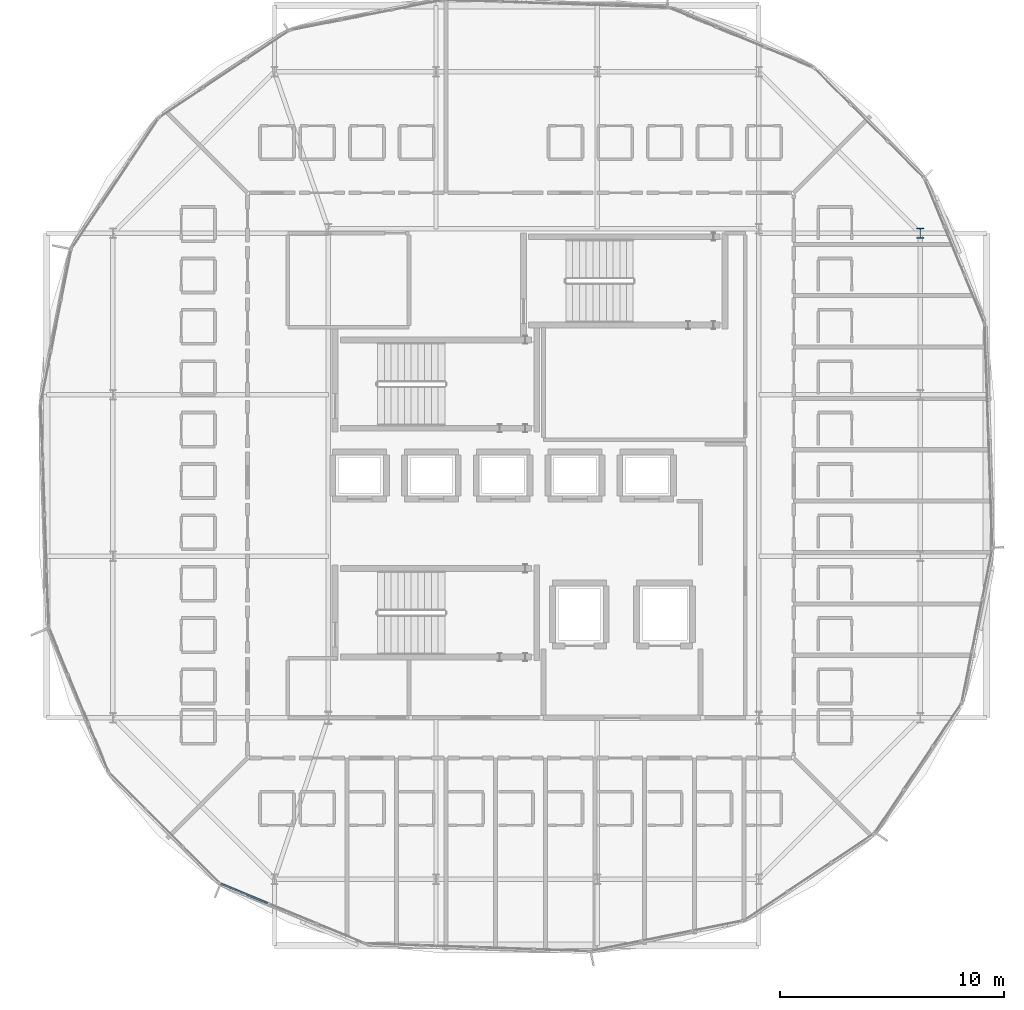
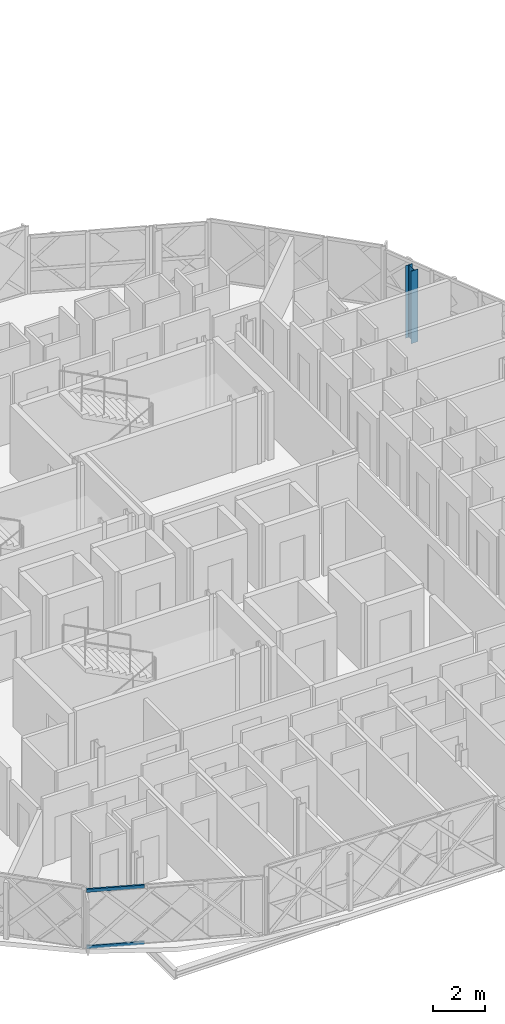
# One storey, part 4 of 25: 2 members, 1 column, 1 element without a shape of its own.
"""IFC4 building model written with IfcOpenShell, lengths in metres."""

from ifc_helpers import new_model, si_unit, direction, frame, origin, origin_2d, place, context, subcontext, project, spatial, rectangle, i_section, extrude, material, layer, layer_set, material_profile, profile_set, type_object, element, aggregate, save


model = new_model("IFC4")

# Units and contexts
model_context = context("Model", 3, precision=1e-05, world=origin(), true_north=direction((0.0, 1.0)))
body_context = subcontext(model_context, "Body", "Model", "MODEL_VIEW")
ifc_project = project(units=[si_unit("LENGTHUNIT", "METRE"), si_unit("AREAUNIT", "SQUARE_METRE"), si_unit("VOLUMEUNIT", "CUBIC_METRE"), si_unit("PLANEANGLEUNIT", "RADIAN"), si_unit("MASSUNIT", "GRAM", prefix="KILO")], contexts=[model_context])

# Site, building, storey
site_placement = place(None, origin())
site = spatial("IfcSite", under=ifc_project, at=site_placement, CompositionType="ELEMENT")
building_placement = place(site_placement, origin())
building = spatial("IfcBuilding", under=site, at=building_placement, Name="Zevrakil Square Congress Hotel", CompositionType="ELEMENT")
storey_placement = place(building_placement, frame((0.0, 0.0, 28.300048828125)))
storey = spatial("IfcBuildingStorey", under=building, at=storey_placement, Name="L08", CompositionType="ELEMENT", Elevation=28.300048828125)

# Column
ifc_material_1 = material(Name="Steel S355", Category="steel")
ifc_material_profile_1 = material_profile(ifc_material_1, i_section(OverallWidth=0.300048828125, OverallDepth=0.449951171875, WebThickness=0.013916015625, FlangeThickness=0.02587890625, FilletRadius=0.027099609375, at=origin_2d()), Name="HEB 450")
ifc_profile_set_1 = profile_set([ifc_material_profile_1], Name="Steel S355")
column_type = type_object("IfcColumnType", Name="COL-HEB450", PredefinedType="COLUMN", material=ifc_profile_set_1)
column_placement = place(storey_placement, frame((163.199951171875, 38.39990234375, 0.0), z_axis=(0.0, 0.0, 1.0), x_axis=(1.0, 0.0, 0.0)))
element("IfcColumn", 1, at=column_placement, inside=storey, type_object=column_type, Name="L08 drum column DC08", PredefinedType="COLUMN", context=body_context, shape_type="SweptSolid", body=[
    extrude(i_section(OverallWidth=0.300048828125, OverallDepth=0.449951171875, WebThickness=0.013916015625, FlangeThickness=0.02587890625, FilletRadius=0.027099609375, at=origin_2d()), origin(), (0.0, 0.0, 1.0), 3.39990234375),
])

# Curtain wall, members
ifc_material_2 = material(Name="Aluminium Anodised Bronze", Category="aluminium")
ifc_layer = layer(ifc_material_2, 0.179931640625)
ifc_layer_set = layer_set([ifc_layer], Name="Aluminium Anodised Bronze")
curtain_wall_type = type_object("IfcCurtainWallType", Name="CW-L08-720", PredefinedType="USERDEFINED", material=ifc_layer_set)
curtain_wall_placement = place(storey_placement, origin())
curtain_wall = element("IfcCurtainWall", 2, at=curtain_wall_placement, inside=storey, type_object=curtain_wall_type, Name="L08 diamond curtain wall CW-L08-0251", ObjectType="GLAZED CURTAIN WALL", PredefinedType="USERDEFINED")
ifc_material_3 = material(Name="Aluminium Anodised Bronze", Category="aluminium")
ifc_material_profile_2 = material_profile(ifc_material_3, rectangle(XDim=0.074951171875, YDim=0.14990234375, at=origin_2d()), Name="ALU 75x150")
ifc_profile_set_2 = profile_set([ifc_material_profile_2], Name="Aluminium Anodised Bronze")
member_type = type_object("IfcMemberType", Name="CWM-ALU75x150", PredefinedType="USERDEFINED", material=ifc_profile_set_2)
member_1_placement = place(storey_placement, frame((132.020751953125, 9.388427734375, 0.030029296875), z_axis=(0.923885623343, -0.382668727465, 0.0), x_axis=(0.382668727465, 0.923885623343, 0.0)))
member_1 = element("IfcMember", 3, at=member_1_placement, type_object=member_type, Name="CW-94 transom 1.1", ObjectType="TRANSOM", PredefinedType="USERDEFINED", context=body_context, shape_type="SweptSolid", body=[
    extrude(rectangle(XDim=0.074951171875, YDim=0.14990234375, at=origin_2d()), origin(), (0.0, 0.0, 1.0), 2.2451171875),
])
member_2_placement = place(storey_placement, frame((132.020751953125, 9.388427734375, 2.679931640625), z_axis=(0.923885623343, -0.382668727465, 0.0), x_axis=(0.382668727465, 0.923885623343, 0.0)))
member_2 = element("IfcMember", 4, at=member_2_placement, type_object=member_type, Name="CW-94 transom 1.2", ObjectType="TRANSOM", PredefinedType="USERDEFINED", context=body_context, shape_type="SweptSolid", body=[
    extrude(rectangle(XDim=0.074951171875, YDim=0.14990234375, at=origin_2d()), origin(), (0.0, 0.0, 1.0), 2.2451171875),
])
aggregate(curtain_wall, [member_1, member_2])

save(model, "model.ifc")
